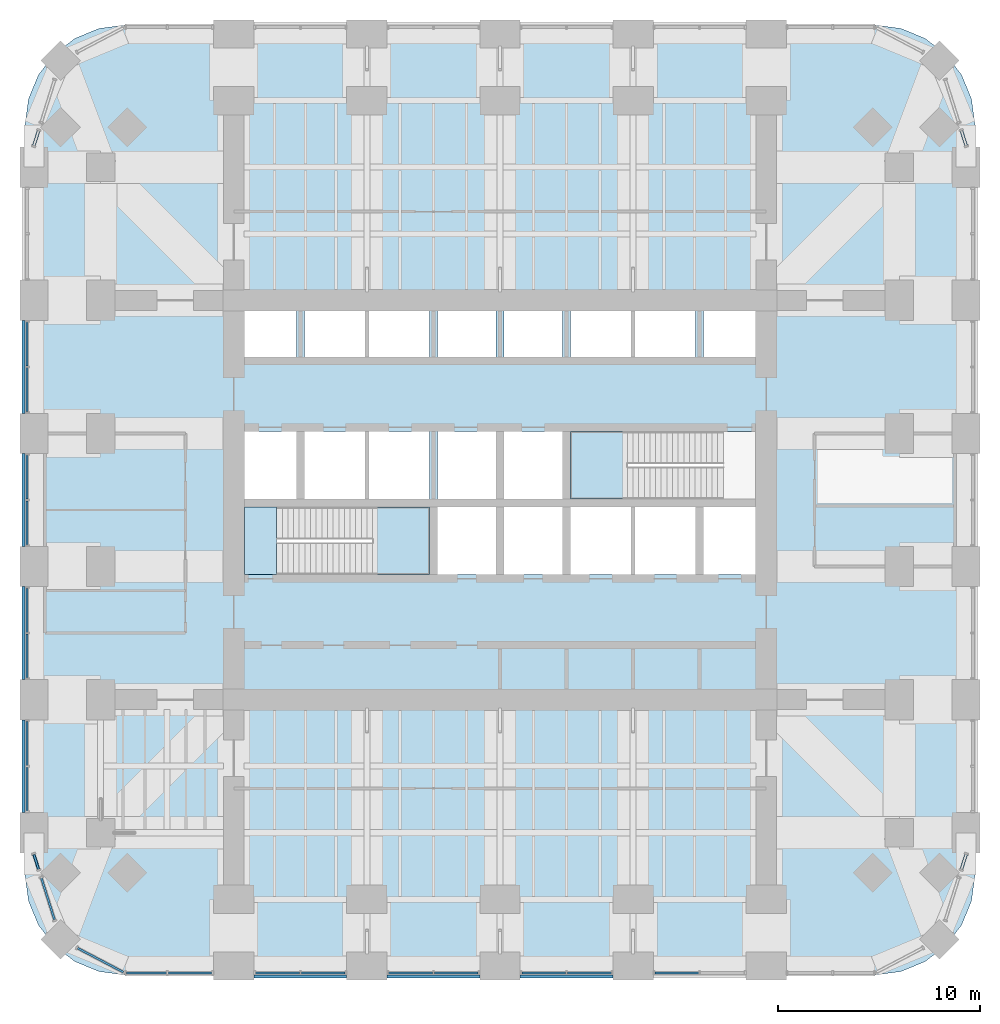
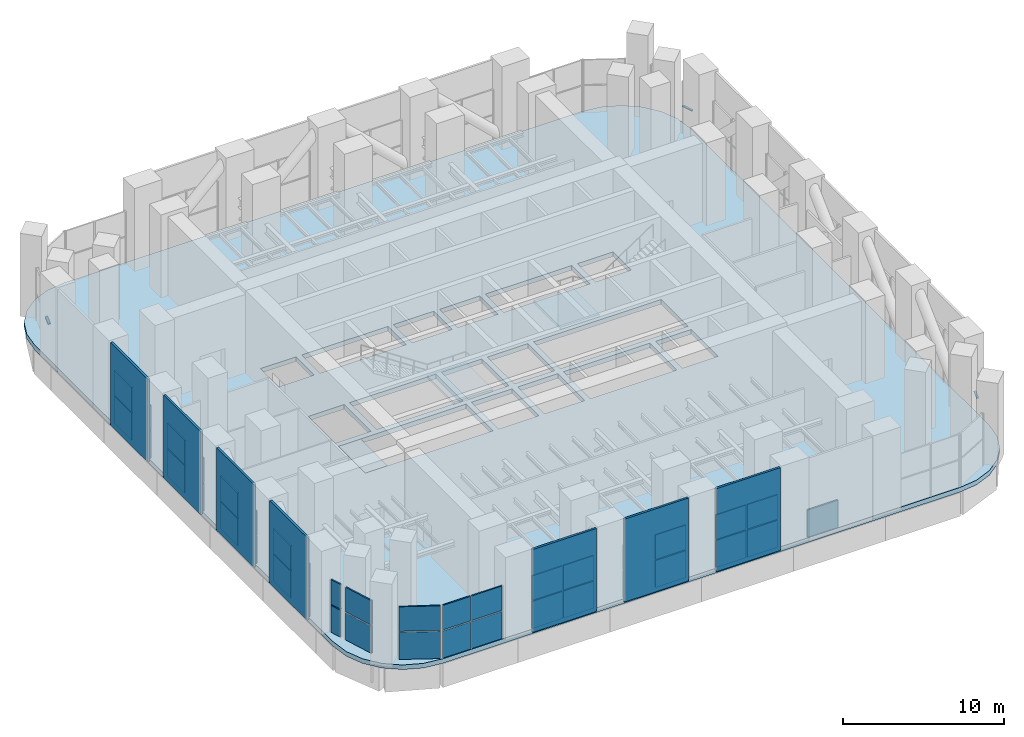
# One storey, part 10 of 16: 46 plates, 4 members, 4 slabs, 17 elements without a shape of their own.
"""IFC4 building model written with IfcOpenShell, lengths in metres."""

from ifc_helpers import new_model, si_unit, direction, frame, origin, origin_2d, place, context, subcontext, project, spatial, polyline, rectangle, outline, extrude, material, layer, layer_set, material_profile, profile_set, type_object, element, aggregate, save


model = new_model("IFC4")

# Units and contexts
model_context = context("Model", 3, precision=1e-05, world=origin(), true_north=direction((0.0, 1.0)))
body_context = subcontext(model_context, "Body", "Model", "MODEL_VIEW")
ifc_project = project(units=[si_unit("LENGTHUNIT", "METRE"), si_unit("AREAUNIT", "SQUARE_METRE"), si_unit("VOLUMEUNIT", "CUBIC_METRE"), si_unit("PLANEANGLEUNIT", "RADIAN"), si_unit("MASSUNIT", "GRAM", prefix="KILO")], contexts=[model_context])

# Site, building, storey
site_placement = place(None, origin())
site = spatial("IfcSite", under=ifc_project, at=site_placement, CompositionType="ELEMENT")
building_placement = place(site_placement, origin())
building = spatial("IfcBuilding", under=site, at=building_placement, Name="Cobogo Forest Laboratory Tower", CompositionType="ELEMENT")
storey_placement = place(building_placement, frame((0.0, 0.0, 149.39990234375)))
storey = spatial("IfcBuildingStorey", under=building, at=storey_placement, Name="L34", CompositionType="ELEMENT", Elevation=149.39990234375)

# Curtain wall, member
ifc_material_1 = material(Name="Aluminium curtain wall", Category="aluminium")
curtain_wall_type = type_object("IfcCurtainWallType", Name="CW-P louvred curtain wall, plant floors", PredefinedType="USERDEFINED", material=ifc_material_1)
curtain_wall_1_placement = place(storey_placement, origin())
curtain_wall_1 = element("IfcCurtainWall", 1, at=curtain_wall_1_placement, inside=storey, type_object=curtain_wall_type, Name="Curtain wall 09 L34", ObjectType="LOUVRED CURTAIN WALL", PredefinedType="USERDEFINED")
ifc_material_2 = material(Name="Aluminium transom", Category="aluminium")
ifc_material_profile = material_profile(ifc_material_2, rectangle(XDim=0.14990234375, YDim=0.080078125, at=origin_2d()), Name="AL 80x150")
ifc_profile_set = profile_set([ifc_material_profile], Name="Aluminium transom")
member_type = type_object("IfcMemberType", Name="TR-2 aluminium louvre transom 80x150", PredefinedType="USERDEFINED", material=ifc_profile_set)
member_1_placement = place(storey_placement, frame((49.27978515625, 4.79443359375, 2.10009765625), z_axis=(0.301054971571, 0.953606786937, 0.0), x_axis=(-0.953606786937, 0.301054971571, 0.0)))
member_1 = element("IfcMember", 2, at=member_1_placement, type_object=member_type, Name="CW-P transom 1.1", ObjectType="TRANSOM", PredefinedType="USERDEFINED", context=body_context, shape_type="SweptSolid", body=[
    extrude(rectangle(XDim=0.14990234375, YDim=0.080078125, at=origin_2d()), origin(), (0.0, 0.0, 1.0), 0.7646484375),
])
aggregate(curtain_wall_1, [member_1])

curtain_wall_2_placement = place(storey_placement, origin())
curtain_wall_2 = element("IfcCurtainWall", 3, at=curtain_wall_2_placement, inside=storey, type_object=curtain_wall_type, Name="Curtain wall 15 L34", ObjectType="LOUVRED CURTAIN WALL", PredefinedType="USERDEFINED")
member_2_placement = place(storey_placement, frame((49.510009765625, 40.67626953125, 2.10009765625), z_axis=(-0.301054971571, 0.953606786937, 0.0), x_axis=(-0.953606786937, -0.301054971571, 0.0)))
member_2 = element("IfcMember", 4, at=member_2_placement, type_object=member_type, Name="CW-P transom 1.1", ObjectType="TRANSOM", PredefinedType="USERDEFINED", context=body_context, shape_type="SweptSolid", body=[
    extrude(rectangle(XDim=0.14990234375, YDim=0.080078125, at=origin_2d()), origin(), (0.0, 0.0, 1.0), 0.7646484375),
])
aggregate(curtain_wall_2, [member_2])

curtain_wall_3_placement = place(storey_placement, origin())
curtain_wall_3 = element("IfcCurtainWall", 5, at=curtain_wall_3_placement, inside=storey, type_object=curtain_wall_type, Name="Curtain wall 26 L34", ObjectType="LOUVRED CURTAIN WALL", PredefinedType="USERDEFINED")
member_3_placement = place(storey_placement, frame((3.520263671875, 41.405517578125, 2.10009765625), z_axis=(-0.301345246915, -0.953515098025, 0.0), x_axis=(0.953515098025, -0.301345246915, 0.0)))
member_3 = element("IfcMember", 6, at=member_3_placement, type_object=member_type, Name="CW-P transom 1.1", ObjectType="TRANSOM", PredefinedType="USERDEFINED", context=body_context, shape_type="SweptSolid", body=[
    extrude(rectangle(XDim=0.14990234375, YDim=0.080078125, at=origin_2d()), origin(), (0.0, 0.0, 1.0), 0.764892578125),
])
aggregate(curtain_wall_3, [member_3])

curtain_wall_4_placement = place(storey_placement, origin())
curtain_wall_4 = element("IfcCurtainWall", 7, at=curtain_wall_4_placement, inside=storey, type_object=curtain_wall_type, Name="Curtain wall 32 L34", ObjectType="LOUVRED CURTAIN WALL", PredefinedType="USERDEFINED")
member_4_placement = place(storey_placement, frame((3.289794921875, 5.523681640625, 2.10009765625), z_axis=(0.301345246915, -0.953515098025, 0.0), x_axis=(0.953515098025, 0.301345246915, 0.0)))
member_4 = element("IfcMember", 8, at=member_4_placement, type_object=member_type, Name="CW-P transom 1.1", ObjectType="TRANSOM", PredefinedType="USERDEFINED", context=body_context, shape_type="SweptSolid", body=[
    extrude(rectangle(XDim=0.14990234375, YDim=0.080078125, at=origin_2d()), origin(), (0.0, 0.0, 1.0), 0.764892578125),
])

# Plates
ifc_material_3 = material(Name="Pierced concrete block", Category="concrete")
ifc_layer_1 = layer(ifc_material_3, 0.14990234375)
ifc_layer_set_1 = layer_set([ifc_layer_1], Name="CO2 cobogo block screen 150")
plate_type_1 = type_object("IfcPlateType", Name="CO2 cobogo block screen 150", PredefinedType="USERDEFINED", material=ifc_layer_set_1)
for number, where, z_axis, x_axis, name in (
    (9, (16.5, -0.52490234375, -0.14990234375), (0.0, 0.0, 1.0), (1.0, 0.0, 0.0), "Cobogo screen S1 L34"),
    (10, (23.10009765625, -0.52490234375, -0.14990234375), (0.0, 0.0, 1.0), (1.0, 0.0, 0.0), "Cobogo screen S2 L34"),
    (11, (29.699951171875, -0.52490234375, -0.14990234375), (0.0, 0.0, 1.0), (1.0, 0.0, 0.0), "Cobogo screen S3 L34"),
    (12, (2.77490234375, 9.89990234375, -0.14990234375), (0.0, 0.0, 1.0), (0.0, 1.0, 0.0), "Cobogo screen W1 L34"),
    (13, (2.77490234375, 16.5, -0.14990234375), (0.0, 0.0, 1.0), (0.0, 1.0, 0.0), "Cobogo screen W2 L34"),
    (14, (2.77490234375, 23.10009765625, -0.14990234375), (0.0, 0.0, 1.0), (0.0, 1.0, 0.0), "Cobogo screen W3 L34"),
    (15, (2.77490234375, 29.699951171875, -0.14990234375), (0.0, 0.0, 1.0), (0.0, 1.0, 0.0), "Cobogo screen W4 L34"),
):
    element("IfcPlate", number, at=place(storey_placement, frame(where, z_axis=z_axis, x_axis=x_axis)), inside=storey, type_object=plate_type_1, Name=name, ObjectType="COBOGO SCREEN", PredefinedType="USERDEFINED", context=body_context, shape_type="SweptSolid", body=[
        extrude(rectangle(XDim=4.60009765625, YDim=0.14990234375, at=origin_2d()), origin(), (0.0, 0.0, 1.0), 6.300048828125),
    ])

# Curtain wall, plates
curtain_wall_5_placement = place(storey_placement, origin())
curtain_wall_5 = element("IfcCurtainWall", 16, at=curtain_wall_5_placement, inside=storey, type_object=curtain_wall_type, Name="Curtain wall 01 L34", ObjectType="LOUVRED CURTAIN WALL", PredefinedType="USERDEFINED")
ifc_material_4 = material(Name="Aluminium louvre", Category="aluminium")
ifc_layer_2 = layer(ifc_material_4, 0.10009765625)
ifc_layer_set_2 = layer_set([ifc_layer_2], Name="LV-1 aluminium weather louvre panel 100")
plate_type_2 = type_object("IfcPlateType", Name="LV-1 aluminium weather louvre panel 100", PredefinedType="CURTAIN_PANEL", material=ifc_layer_set_2)
plate_1_placement = place(storey_placement, frame((8.8701171875, -0.35009765625, 0.0), z_axis=(0.0, 0.0, 1.0), x_axis=(1.0, 0.0, 0.0)))
plate_1 = element("IfcPlate", 17, at=plate_1_placement, type_object=plate_type_2, Name="CW-P panel 1.1", PredefinedType="CURTAIN_PANEL", context=body_context, shape_type="SweptSolid", body=[
    extrude(rectangle(XDim=1.97998046875, YDim=0.10009765625, at=origin_2d()), origin(), (0.0, 0.0, 1.0), 2.06005859375),
])
plate_2_placement = place(storey_placement, frame((8.8701171875, -0.35009765625, 2.14013671875), z_axis=(0.0, 0.0, 1.0), x_axis=(1.0, 0.0, 0.0)))
plate_2 = element("IfcPlate", 18, at=plate_2_placement, type_object=plate_type_2, Name="CW-P panel 1.2", PredefinedType="CURTAIN_PANEL", context=body_context, shape_type="SweptSolid", body=[
    extrude(rectangle(XDim=1.97998046875, YDim=0.10009765625, at=origin_2d()), origin(), (0.0, 0.0, 1.0), 1.860107421875),
])
plate_3_placement = place(storey_placement, frame((11.030029296875, -0.35009765625, 0.0), z_axis=(0.0, 0.0, 1.0), x_axis=(1.0, 0.0, 0.0)))
plate_3 = element("IfcPlate", 19, at=plate_3_placement, type_object=plate_type_2, Name="CW-P panel 2.1", PredefinedType="CURTAIN_PANEL", context=body_context, shape_type="SweptSolid", body=[
    extrude(rectangle(XDim=2.179931640625, YDim=0.10009765625, at=origin_2d()), origin(), (0.0, 0.0, 1.0), 2.06005859375),
])
plate_4_placement = place(storey_placement, frame((11.030029296875, -0.35009765625, 2.14013671875), z_axis=(0.0, 0.0, 1.0), x_axis=(1.0, 0.0, 0.0)))
plate_4 = element("IfcPlate", 20, at=plate_4_placement, type_object=plate_type_2, Name="CW-P panel 2.2", PredefinedType="CURTAIN_PANEL", context=body_context, shape_type="SweptSolid", body=[
    extrude(rectangle(XDim=2.179931640625, YDim=0.10009765625, at=origin_2d()), origin(), (0.0, 0.0, 1.0), 1.860107421875),
])
aggregate(curtain_wall_5, [plate_1, plate_2, plate_3, plate_4])

curtain_wall_6_placement = place(storey_placement, origin())
curtain_wall_6 = element("IfcCurtainWall", 21, at=curtain_wall_6_placement, inside=storey, type_object=curtain_wall_type, Name="Curtain wall 02 L34", ObjectType="LOUVRED CURTAIN WALL", PredefinedType="USERDEFINED")
plate_5_placement = place(storey_placement, frame((15.3701171875, -0.35009765625, 0.0), z_axis=(0.0, 0.0, 1.0), x_axis=(1.0, 0.0, 0.0)))
plate_5 = element("IfcPlate", 22, at=plate_5_placement, type_object=plate_type_2, Name="CW-P panel 1.1", PredefinedType="CURTAIN_PANEL", context=body_context, shape_type="SweptSolid", body=[
    extrude(rectangle(XDim=2.179931640625, YDim=0.10009765625, at=origin_2d()), origin(), (0.0, 0.0, 1.0), 2.06005859375),
])
plate_6_placement = place(storey_placement, frame((15.3701171875, -0.35009765625, 2.14013671875), z_axis=(0.0, 0.0, 1.0), x_axis=(1.0, 0.0, 0.0)))
plate_6 = element("IfcPlate", 23, at=plate_6_placement, type_object=plate_type_2, Name="CW-P panel 1.2", PredefinedType="CURTAIN_PANEL", context=body_context, shape_type="SweptSolid", body=[
    extrude(rectangle(XDim=2.179931640625, YDim=0.10009765625, at=origin_2d()), origin(), (0.0, 0.0, 1.0), 1.860107421875),
])
plate_7_placement = place(storey_placement, frame((17.6298828125, -0.35009765625, 0.0), z_axis=(0.0, 0.0, 1.0), x_axis=(1.0, 0.0, 0.0)))
plate_7 = element("IfcPlate", 24, at=plate_7_placement, type_object=plate_type_2, Name="CW-P panel 2.1", PredefinedType="CURTAIN_PANEL", context=body_context, shape_type="SweptSolid", body=[
    extrude(rectangle(XDim=2.179931640625, YDim=0.10009765625, at=origin_2d()), origin(), (0.0, 0.0, 1.0), 2.06005859375),
])
plate_8_placement = place(storey_placement, frame((17.6298828125, -0.35009765625, 2.14013671875), z_axis=(0.0, 0.0, 1.0), x_axis=(1.0, 0.0, 0.0)))
plate_8 = element("IfcPlate", 25, at=plate_8_placement, type_object=plate_type_2, Name="CW-P panel 2.2", PredefinedType="CURTAIN_PANEL", context=body_context, shape_type="SweptSolid", body=[
    extrude(rectangle(XDim=2.179931640625, YDim=0.10009765625, at=origin_2d()), origin(), (0.0, 0.0, 1.0), 1.860107421875),
])
aggregate(curtain_wall_6, [plate_5, plate_6, plate_7, plate_8])

curtain_wall_7_placement = place(storey_placement, origin())
curtain_wall_7 = element("IfcCurtainWall", 26, at=curtain_wall_7_placement, inside=storey, type_object=curtain_wall_type, Name="Curtain wall 03 L34", ObjectType="LOUVRED CURTAIN WALL", PredefinedType="USERDEFINED")
plate_9_placement = place(storey_placement, frame((21.969970703125, -0.35009765625, 0.0), z_axis=(0.0, 0.0, 1.0), x_axis=(1.0, 0.0, 0.0)))
plate_9 = element("IfcPlate", 27, at=plate_9_placement, type_object=plate_type_2, Name="CW-P panel 1.1", PredefinedType="CURTAIN_PANEL", context=body_context, shape_type="SweptSolid", body=[
    extrude(rectangle(XDim=2.179931640625, YDim=0.10009765625, at=origin_2d()), origin(), (0.0, 0.0, 1.0), 2.06005859375),
])
plate_10_placement = place(storey_placement, frame((21.969970703125, -0.35009765625, 2.14013671875), z_axis=(0.0, 0.0, 1.0), x_axis=(1.0, 0.0, 0.0)))
plate_10 = element("IfcPlate", 28, at=plate_10_placement, type_object=plate_type_2, Name="CW-P panel 1.2", PredefinedType="CURTAIN_PANEL", context=body_context, shape_type="SweptSolid", body=[
    extrude(rectangle(XDim=2.179931640625, YDim=0.10009765625, at=origin_2d()), origin(), (0.0, 0.0, 1.0), 1.860107421875),
])
plate_11_placement = place(storey_placement, frame((24.22998046875, -0.35009765625, 0.0), z_axis=(0.0, 0.0, 1.0), x_axis=(1.0, 0.0, 0.0)))
plate_11 = element("IfcPlate", 29, at=plate_11_placement, type_object=plate_type_2, Name="CW-P panel 2.1", PredefinedType="CURTAIN_PANEL", context=body_context, shape_type="SweptSolid", body=[
    extrude(rectangle(XDim=2.179931640625, YDim=0.10009765625, at=origin_2d()), origin(), (0.0, 0.0, 1.0), 2.06005859375),
])
plate_12_placement = place(storey_placement, frame((24.22998046875, -0.35009765625, 2.14013671875), z_axis=(0.0, 0.0, 1.0), x_axis=(1.0, 0.0, 0.0)))
plate_12 = element("IfcPlate", 30, at=plate_12_placement, type_object=plate_type_2, Name="CW-P panel 2.2", PredefinedType="CURTAIN_PANEL", context=body_context, shape_type="SweptSolid", body=[
    extrude(rectangle(XDim=2.179931640625, YDim=0.10009765625, at=origin_2d()), origin(), (0.0, 0.0, 1.0), 1.860107421875),
])
aggregate(curtain_wall_7, [plate_9, plate_10, plate_11, plate_12])

curtain_wall_8_placement = place(storey_placement, origin())
curtain_wall_8 = element("IfcCurtainWall", 31, at=curtain_wall_8_placement, inside=storey, type_object=curtain_wall_type, Name="Curtain wall 04 L34", ObjectType="LOUVRED CURTAIN WALL", PredefinedType="USERDEFINED")
plate_13_placement = place(storey_placement, frame((28.570068359375, -0.35009765625, 0.0), z_axis=(0.0, 0.0, 1.0), x_axis=(1.0, 0.0, 0.0)))
plate_13 = element("IfcPlate", 32, at=plate_13_placement, type_object=plate_type_2, Name="CW-P panel 1.1", PredefinedType="CURTAIN_PANEL", context=body_context, shape_type="SweptSolid", body=[
    extrude(rectangle(XDim=2.179931640625, YDim=0.10009765625, at=origin_2d()), origin(), (0.0, 0.0, 1.0), 2.06005859375),
])
plate_14_placement = place(storey_placement, frame((28.570068359375, -0.35009765625, 2.14013671875), z_axis=(0.0, 0.0, 1.0), x_axis=(1.0, 0.0, 0.0)))
plate_14 = element("IfcPlate", 33, at=plate_14_placement, type_object=plate_type_2, Name="CW-P panel 1.2", PredefinedType="CURTAIN_PANEL", context=body_context, shape_type="SweptSolid", body=[
    extrude(rectangle(XDim=2.179931640625, YDim=0.10009765625, at=origin_2d()), origin(), (0.0, 0.0, 1.0), 1.860107421875),
])
plate_15_placement = place(storey_placement, frame((30.830078125, -0.35009765625, 0.0), z_axis=(0.0, 0.0, 1.0), x_axis=(1.0, 0.0, 0.0)))
plate_15 = element("IfcPlate", 34, at=plate_15_placement, type_object=plate_type_2, Name="CW-P panel 2.1", PredefinedType="CURTAIN_PANEL", context=body_context, shape_type="SweptSolid", body=[
    extrude(rectangle(XDim=2.179931640625, YDim=0.10009765625, at=origin_2d()), origin(), (0.0, 0.0, 1.0), 2.06005859375),
])
plate_16_placement = place(storey_placement, frame((30.830078125, -0.35009765625, 2.14013671875), z_axis=(0.0, 0.0, 1.0), x_axis=(1.0, 0.0, 0.0)))
plate_16 = element("IfcPlate", 35, at=plate_16_placement, type_object=plate_type_2, Name="CW-P panel 2.2", PredefinedType="CURTAIN_PANEL", context=body_context, shape_type="SweptSolid", body=[
    extrude(rectangle(XDim=2.179931640625, YDim=0.10009765625, at=origin_2d()), origin(), (0.0, 0.0, 1.0), 1.860107421875),
])
aggregate(curtain_wall_8, [plate_13, plate_14, plate_15, plate_16])

# Curtain wall, plate
curtain_wall_9_placement = place(storey_placement, origin())
curtain_wall_9 = element("IfcCurtainWall", 36, at=curtain_wall_9_placement, inside=storey, type_object=curtain_wall_type, Name="Curtain wall 05 L34", ObjectType="LOUVRED CURTAIN WALL", PredefinedType="USERDEFINED")
plate_17_placement = place(storey_placement, frame((35.169921875, -0.35009765625, 0.0), z_axis=(0.0, 0.0, 1.0), x_axis=(1.0, 0.0, 0.0)))
plate_17 = element("IfcPlate", 37, at=plate_17_placement, type_object=plate_type_2, Name="CW-P panel 1.1", PredefinedType="CURTAIN_PANEL", context=body_context, shape_type="SweptSolid", body=[
    extrude(rectangle(XDim=2.179931640625, YDim=0.10009765625, at=origin_2d()), origin(), (0.0, 0.0, 1.0), 2.06005859375),
])
aggregate(curtain_wall_9, [plate_17])

# Curtain wall, plates
curtain_wall_10_placement = place(storey_placement, origin())
curtain_wall_10 = element("IfcCurtainWall", 38, at=curtain_wall_10_placement, inside=storey, type_object=curtain_wall_type, Name="Curtain wall 28 L34", ObjectType="LOUVRED CURTAIN WALL", PredefinedType="USERDEFINED")
plate_18_placement = place(storey_placement, frame((2.949951171875, 30.830078125, 0.0), z_axis=(0.0, 0.0, 1.0), x_axis=(0.0, -1.0, 0.0)))
plate_18 = element("IfcPlate", 39, at=plate_18_placement, type_object=plate_type_2, Name="CW-P panel 1.1", PredefinedType="CURTAIN_PANEL", context=body_context, shape_type="SweptSolid", body=[
    extrude(rectangle(XDim=2.179931640625, YDim=0.10009765625, at=origin_2d()), origin(), (0.0, 0.0, 1.0), 2.06005859375),
])
plate_19_placement = place(storey_placement, frame((2.949951171875, 30.830078125, 2.14013671875), z_axis=(0.0, 0.0, 1.0), x_axis=(0.0, -1.0, 0.0)))
plate_19 = element("IfcPlate", 40, at=plate_19_placement, type_object=plate_type_2, Name="CW-P panel 1.2", PredefinedType="CURTAIN_PANEL", context=body_context, shape_type="SweptSolid", body=[
    extrude(rectangle(XDim=2.179931640625, YDim=0.10009765625, at=origin_2d()), origin(), (0.0, 0.0, 1.0), 1.860107421875),
])
plate_20_placement = place(storey_placement, frame((2.949951171875, 28.570068359375, 0.0), z_axis=(0.0, 0.0, 1.0), x_axis=(0.0, -1.0, 0.0)))
plate_20 = element("IfcPlate", 41, at=plate_20_placement, type_object=plate_type_2, Name="CW-P panel 2.1", PredefinedType="CURTAIN_PANEL", context=body_context, shape_type="SweptSolid", body=[
    extrude(rectangle(XDim=2.179931640625, YDim=0.10009765625, at=origin_2d()), origin(), (0.0, 0.0, 1.0), 2.06005859375),
])
plate_21_placement = place(storey_placement, frame((2.949951171875, 28.570068359375, 2.14013671875), z_axis=(0.0, 0.0, 1.0), x_axis=(0.0, -1.0, 0.0)))
plate_21 = element("IfcPlate", 42, at=plate_21_placement, type_object=plate_type_2, Name="CW-P panel 2.2", PredefinedType="CURTAIN_PANEL", context=body_context, shape_type="SweptSolid", body=[
    extrude(rectangle(XDim=2.179931640625, YDim=0.10009765625, at=origin_2d()), origin(), (0.0, 0.0, 1.0), 1.860107421875),
])
aggregate(curtain_wall_10, [plate_18, plate_19, plate_20, plate_21])

curtain_wall_11_placement = place(storey_placement, origin())
curtain_wall_11 = element("IfcCurtainWall", 43, at=curtain_wall_11_placement, inside=storey, type_object=curtain_wall_type, Name="Curtain wall 29 L34", ObjectType="LOUVRED CURTAIN WALL", PredefinedType="USERDEFINED")
plate_22_placement = place(storey_placement, frame((2.949951171875, 24.22998046875, 0.0), z_axis=(0.0, 0.0, 1.0), x_axis=(0.0, -1.0, 0.0)))
plate_22 = element("IfcPlate", 44, at=plate_22_placement, type_object=plate_type_2, Name="CW-P panel 1.1", PredefinedType="CURTAIN_PANEL", context=body_context, shape_type="SweptSolid", body=[
    extrude(rectangle(XDim=2.179931640625, YDim=0.10009765625, at=origin_2d()), origin(), (0.0, 0.0, 1.0), 2.06005859375),
])
plate_23_placement = place(storey_placement, frame((2.949951171875, 24.22998046875, 2.14013671875), z_axis=(0.0, 0.0, 1.0), x_axis=(0.0, -1.0, 0.0)))
plate_23 = element("IfcPlate", 45, at=plate_23_placement, type_object=plate_type_2, Name="CW-P panel 1.2", PredefinedType="CURTAIN_PANEL", context=body_context, shape_type="SweptSolid", body=[
    extrude(rectangle(XDim=2.179931640625, YDim=0.10009765625, at=origin_2d()), origin(), (0.0, 0.0, 1.0), 1.860107421875),
])
plate_24_placement = place(storey_placement, frame((2.949951171875, 21.969970703125, 0.0), z_axis=(0.0, 0.0, 1.0), x_axis=(0.0, -1.0, 0.0)))
plate_24 = element("IfcPlate", 46, at=plate_24_placement, type_object=plate_type_2, Name="CW-P panel 2.1", PredefinedType="CURTAIN_PANEL", context=body_context, shape_type="SweptSolid", body=[
    extrude(rectangle(XDim=2.179931640625, YDim=0.10009765625, at=origin_2d()), origin(), (0.0, 0.0, 1.0), 2.06005859375),
])
plate_25_placement = place(storey_placement, frame((2.949951171875, 21.969970703125, 2.14013671875), z_axis=(0.0, 0.0, 1.0), x_axis=(0.0, -1.0, 0.0)))
plate_25 = element("IfcPlate", 47, at=plate_25_placement, type_object=plate_type_2, Name="CW-P panel 2.2", PredefinedType="CURTAIN_PANEL", context=body_context, shape_type="SweptSolid", body=[
    extrude(rectangle(XDim=2.179931640625, YDim=0.10009765625, at=origin_2d()), origin(), (0.0, 0.0, 1.0), 1.860107421875),
])
aggregate(curtain_wall_11, [plate_22, plate_23, plate_24, plate_25])

curtain_wall_12_placement = place(storey_placement, origin())
curtain_wall_12 = element("IfcCurtainWall", 48, at=curtain_wall_12_placement, inside=storey, type_object=curtain_wall_type, Name="Curtain wall 30 L34", ObjectType="LOUVRED CURTAIN WALL", PredefinedType="USERDEFINED")
plate_26_placement = place(storey_placement, frame((2.949951171875, 17.6298828125, 0.0), z_axis=(0.0, 0.0, 1.0), x_axis=(0.0, -1.0, 0.0)))
plate_26 = element("IfcPlate", 49, at=plate_26_placement, type_object=plate_type_2, Name="CW-P panel 1.1", PredefinedType="CURTAIN_PANEL", context=body_context, shape_type="SweptSolid", body=[
    extrude(rectangle(XDim=2.179931640625, YDim=0.10009765625, at=origin_2d()), origin(), (0.0, 0.0, 1.0), 2.06005859375),
])
plate_27_placement = place(storey_placement, frame((2.949951171875, 17.6298828125, 2.14013671875), z_axis=(0.0, 0.0, 1.0), x_axis=(0.0, -1.0, 0.0)))
plate_27 = element("IfcPlate", 50, at=plate_27_placement, type_object=plate_type_2, Name="CW-P panel 1.2", PredefinedType="CURTAIN_PANEL", context=body_context, shape_type="SweptSolid", body=[
    extrude(rectangle(XDim=2.179931640625, YDim=0.10009765625, at=origin_2d()), origin(), (0.0, 0.0, 1.0), 1.860107421875),
])
plate_28_placement = place(storey_placement, frame((2.949951171875, 15.3701171875, 0.0), z_axis=(0.0, 0.0, 1.0), x_axis=(0.0, -1.0, 0.0)))
plate_28 = element("IfcPlate", 51, at=plate_28_placement, type_object=plate_type_2, Name="CW-P panel 2.1", PredefinedType="CURTAIN_PANEL", context=body_context, shape_type="SweptSolid", body=[
    extrude(rectangle(XDim=2.179931640625, YDim=0.10009765625, at=origin_2d()), origin(), (0.0, 0.0, 1.0), 2.06005859375),
])
plate_29_placement = place(storey_placement, frame((2.949951171875, 15.3701171875, 2.14013671875), z_axis=(0.0, 0.0, 1.0), x_axis=(0.0, -1.0, 0.0)))
plate_29 = element("IfcPlate", 52, at=plate_29_placement, type_object=plate_type_2, Name="CW-P panel 2.2", PredefinedType="CURTAIN_PANEL", context=body_context, shape_type="SweptSolid", body=[
    extrude(rectangle(XDim=2.179931640625, YDim=0.10009765625, at=origin_2d()), origin(), (0.0, 0.0, 1.0), 1.860107421875),
])
aggregate(curtain_wall_12, [plate_26, plate_27, plate_28, plate_29])

curtain_wall_13_placement = place(storey_placement, origin())
curtain_wall_13 = element("IfcCurtainWall", 53, at=curtain_wall_13_placement, inside=storey, type_object=curtain_wall_type, Name="Curtain wall 31 L34", ObjectType="LOUVRED CURTAIN WALL", PredefinedType="USERDEFINED")
plate_30_placement = place(storey_placement, frame((2.949951171875, 11.030029296875, 0.0), z_axis=(0.0, 0.0, 1.0), x_axis=(0.0, -1.0, 0.0)))
plate_30 = element("IfcPlate", 54, at=plate_30_placement, type_object=plate_type_2, Name="CW-P panel 1.1", PredefinedType="CURTAIN_PANEL", context=body_context, shape_type="SweptSolid", body=[
    extrude(rectangle(XDim=2.179931640625, YDim=0.10009765625, at=origin_2d()), origin(), (0.0, 0.0, 1.0), 2.06005859375),
])
plate_31_placement = place(storey_placement, frame((2.949951171875, 11.030029296875, 2.14013671875), z_axis=(0.0, 0.0, 1.0), x_axis=(0.0, -1.0, 0.0)))
plate_31 = element("IfcPlate", 55, at=plate_31_placement, type_object=plate_type_2, Name="CW-P panel 1.2", PredefinedType="CURTAIN_PANEL", context=body_context, shape_type="SweptSolid", body=[
    extrude(rectangle(XDim=2.179931640625, YDim=0.10009765625, at=origin_2d()), origin(), (0.0, 0.0, 1.0), 1.860107421875),
])
plate_32_placement = place(storey_placement, frame((2.949951171875, 8.77001953125, 0.0), z_axis=(0.0, 0.0, 1.0), x_axis=(0.0, -1.0, 0.0)))
plate_32 = element("IfcPlate", 56, at=plate_32_placement, type_object=plate_type_2, Name="CW-P panel 2.1", PredefinedType="CURTAIN_PANEL", context=body_context, shape_type="SweptSolid", body=[
    extrude(rectangle(XDim=2.179931640625, YDim=0.10009765625, at=origin_2d()), origin(), (0.0, 0.0, 1.0), 2.06005859375),
])
plate_33_placement = place(storey_placement, frame((2.949951171875, 8.77001953125, 2.14013671875), z_axis=(0.0, 0.0, 1.0), x_axis=(0.0, -1.0, 0.0)))
plate_33 = element("IfcPlate", 57, at=plate_33_placement, type_object=plate_type_2, Name="CW-P panel 2.2", PredefinedType="CURTAIN_PANEL", context=body_context, shape_type="SweptSolid", body=[
    extrude(rectangle(XDim=2.179931640625, YDim=0.10009765625, at=origin_2d()), origin(), (0.0, 0.0, 1.0), 1.860107421875),
])
aggregate(curtain_wall_13, [plate_30, plate_31, plate_32, plate_33])

# Plate
plate_34_placement = place(storey_placement, frame((3.405029296875, 5.158935546875, 0.0), z_axis=(0.0, 0.0, 1.0), x_axis=(0.301135352577, -0.953581406818, 0.0)))
plate_34 = element("IfcPlate", 58, at=plate_34_placement, type_object=plate_type_2, Name="CW-P panel 1.1", PredefinedType="CURTAIN_PANEL", context=body_context, shape_type="SweptSolid", body=[
    extrude(rectangle(XDim=0.764892578125, YDim=0.10009765625, at=origin_2d()), origin(), (0.0, 0.0, 1.0), 2.06005859375),
])

plate_35_placement = place(storey_placement, frame((3.405029296875, 5.158935546875, 2.14013671875), z_axis=(0.0, 0.0, 1.0), x_axis=(0.301135352577, -0.953581406818, 0.0)))
plate_35 = element("IfcPlate", 59, at=plate_35_placement, type_object=plate_type_2, Name="CW-P panel 1.2", PredefinedType="CURTAIN_PANEL", context=body_context, shape_type="SweptSolid", body=[
    extrude(rectangle(XDim=0.764892578125, YDim=0.10009765625, at=origin_2d()), origin(), (0.0, 0.0, 1.0), 1.860107421875),
])

aggregate(curtain_wall_4, [member_4, plate_34, plate_35])

# Curtain wall, plates
curtain_wall_14_placement = place(storey_placement, origin())
curtain_wall_14 = element("IfcCurtainWall", 60, at=curtain_wall_14_placement, inside=storey, type_object=curtain_wall_type, Name="Curtain wall 33 L34", ObjectType="LOUVRED CURTAIN WALL", PredefinedType="USERDEFINED")
plate_36_placement = place(storey_placement, frame((3.986572265625, 3.31787109375, 0.0), z_axis=(0.0, 0.0, 1.0), x_axis=(0.301135343623, -0.953581409645, 0.0)))
plate_36 = element("IfcPlate", 61, at=plate_36_placement, type_object=plate_type_2, Name="CW-P panel 1.1", PredefinedType="CURTAIN_PANEL", context=body_context, shape_type="SweptSolid", body=[
    extrude(rectangle(XDim=2.163330078125, YDim=0.10009765625, at=origin_2d()), origin(), (0.0, 0.0, 1.0), 2.06005859375),
])
plate_37_placement = place(storey_placement, frame((3.986572265625, 3.31787109375, 2.14013671875), z_axis=(0.0, 0.0, 1.0), x_axis=(0.301135343623, -0.953581409645, 0.0)))
plate_37 = element("IfcPlate", 62, at=plate_37_placement, type_object=plate_type_2, Name="CW-P panel 1.2", PredefinedType="CURTAIN_PANEL", context=body_context, shape_type="SweptSolid", body=[
    extrude(rectangle(XDim=2.163330078125, YDim=0.10009765625, at=origin_2d()), origin(), (0.0, 0.0, 1.0), 1.860107421875),
])
aggregate(curtain_wall_14, [plate_36, plate_37])

curtain_wall_15_placement = place(storey_placement, origin())
curtain_wall_15 = element("IfcCurtainWall", 63, at=curtain_wall_15_placement, inside=storey, type_object=curtain_wall_type, Name="Curtain wall 34 L34", ObjectType="LOUVRED CURTAIN WALL", PredefinedType="USERDEFINED")
plate_38_placement = place(storey_placement, frame((6.593994140625, 0.2822265625, 0.0), z_axis=(0.0, 0.0, 1.0), x_axis=(0.885686540666, -0.464283697413, 0.0)))
plate_38 = element("IfcPlate", 64, at=plate_38_placement, type_object=plate_type_2, Name="CW-P panel 1.1", PredefinedType="CURTAIN_PANEL", context=body_context, shape_type="SweptSolid", body=[
    extrude(rectangle(XDim=2.563232421875, YDim=0.10009765625, at=origin_2d()), origin(), (0.0, 0.0, 1.0), 2.06005859375),
])
plate_39_placement = place(storey_placement, frame((6.593994140625, 0.2822265625, 2.14013671875), z_axis=(0.0, 0.0, 1.0), x_axis=(0.885686540666, -0.464283697413, 0.0)))
plate_39 = element("IfcPlate", 65, at=plate_39_placement, type_object=plate_type_2, Name="CW-P panel 1.2", PredefinedType="CURTAIN_PANEL", context=body_context, shape_type="SweptSolid", body=[
    extrude(rectangle(XDim=2.563232421875, YDim=0.10009765625, at=origin_2d()), origin(), (0.0, 0.0, 1.0), 1.860107421875),
])
aggregate(curtain_wall_15, [plate_38, plate_39])

# Slab
ifc_material_5 = material(Name="Concrete HA-40 (C40/50)", Category="concrete")
ifc_layer_3 = layer(ifc_material_5, 0.35009765625)
ifc_layer_set_3 = layer_set([ifc_layer_3], Name="Plant floor slab 350")
slab_type_1 = type_object("IfcSlabType", Name="Plant floor slab 350", PredefinedType="FLOOR", material=ifc_layer_set_3)
slab_1_placement = place(storey_placement, frame((0.0, 0.0, -0.349853515625)))
element("IfcSlab", 66, at=slab_1_placement, inside=storey, type_object=slab_type_1, Name="L34 floor slab", PredefinedType="FLOOR", context=body_context, shape_type="SweptSolid", body=[
    extrude(outline(polyline([(45.0, -0.449951171875), (46.28125, -0.28125), (47.47509765625, 0.213134765625), (48.500244140625, 0.999755859375), (49.286865234375, 2.02490234375), (49.78125, 3.21875), (49.949951171875, 4.5), (49.949951171875, 41.699951171875), (49.78125, 42.981201171875), (49.286865234375, 44.175048828125), (48.500244140625, 45.2001953125), (47.47509765625, 45.98681640625), (46.28125, 46.4814453125), (45.0, 46.64990234375), (7.800048828125, 46.64990234375), (6.518798828125, 46.4814453125), (5.324951171875, 45.98681640625), (4.2998046875, 45.2001953125), (3.51318359375, 44.175048828125), (3.0185546875, 42.981201171875), (2.85009765625, 41.699951171875), (2.85009765625, 4.5), (3.0185546875, 3.21875), (3.51318359375, 2.02490234375), (4.2998046875, 0.999755859375), (5.324951171875, 0.213134765625), (6.518798828125, -0.28125), (7.800048828125, -0.449951171875), (45.0, -0.449951171875)]), holes=[polyline([(22.89990234375, 19.39990234375), (13.72509765625, 19.39990234375), (13.72509765625, 22.75), (22.89990234375, 22.75), (22.89990234375, 19.39990234375)]), polyline([(26.199951171875, 19.39990234375), (23.300048828125, 19.39990234375), (23.300048828125, 22.75), (26.199951171875, 22.75), (26.199951171875, 19.39990234375)]), polyline([(29.5, 19.39990234375), (26.60009765625, 19.39990234375), (26.60009765625, 22.75), (29.5, 22.75), (29.5, 19.39990234375)]), polyline([(36.10009765625, 22.75), (36.10009765625, 19.39990234375), (29.89990234375, 19.39990234375), (29.89990234375, 22.75), (36.10009765625, 22.75)]), polyline([(36.5, 19.39990234375), (36.5, 22.75), (39.074951171875, 22.75), (39.074951171875, 19.39990234375), (36.5, 19.39990234375)]), polyline([(16.300048828125, 23.14990234375), (13.72509765625, 23.14990234375), (13.72509765625, 26.5), (16.300048828125, 26.5), (16.300048828125, 23.14990234375)]), polyline([(22.89990234375, 26.5), (22.89990234375, 23.14990234375), (16.699951171875, 23.14990234375), (16.699951171875, 26.5), (22.89990234375, 26.5)]), polyline([(26.199951171875, 23.14990234375), (23.300048828125, 23.14990234375), (23.300048828125, 26.5), (26.199951171875, 26.5), (26.199951171875, 23.14990234375)]), polyline([(26.60009765625, 23.14990234375), (26.60009765625, 26.5), (29.5, 26.5), (29.5, 23.14990234375), (26.60009765625, 23.14990234375)]), polyline([(39.074951171875, 23.14990234375), (29.89990234375, 23.14990234375), (29.89990234375, 26.5), (39.074951171875, 26.5), (39.074951171875, 23.14990234375)]), polyline([(16.300048828125, 30.199951171875), (13.72509765625, 30.199951171875), (13.72509765625, 32.47509765625), (16.300048828125, 32.47509765625), (16.300048828125, 30.199951171875)]), polyline([(22.89990234375, 32.47509765625), (22.89990234375, 30.199951171875), (16.699951171875, 30.199951171875), (16.699951171875, 32.47509765625), (22.89990234375, 32.47509765625)]), polyline([(23.300048828125, 30.199951171875), (23.300048828125, 32.47509765625), (26.199951171875, 32.47509765625), (26.199951171875, 30.199951171875), (23.300048828125, 30.199951171875)]), polyline([(29.5, 30.199951171875), (26.60009765625, 30.199951171875), (26.60009765625, 32.47509765625), (29.5, 32.47509765625), (29.5, 30.199951171875)]), polyline([(36.10009765625, 32.47509765625), (36.10009765625, 30.199951171875), (29.89990234375, 30.199951171875), (29.89990234375, 32.47509765625), (36.10009765625, 32.47509765625)]), polyline([(36.5, 30.199951171875), (36.5, 32.47509765625), (39.074951171875, 32.47509765625), (39.074951171875, 30.199951171875), (36.5, 30.199951171875)])]), origin(), (0.0, 0.0, 1.0), 0.349853515625),
])

# Stair, slabs
ifc_material_6 = material(Name="Precast concrete HA-40 (C40/50)", Category="concrete")
stair_type = type_object("IfcStairType", Name="ST36 exit stair 36 risers", PredefinedType="HALF_TURN_STAIR", material=ifc_material_6)
stair_1_placement = place(storey_placement, origin())
stair_1 = element("IfcStair", 67, at=stair_1_placement, inside=storey, type_object=stair_type, Name="Stair 1 L34 to L35", PredefinedType="HALF_TURN_STAIR")
ifc_layer_4 = layer(ifc_material_5, 0.199951171875)
ifc_layer_set_4 = layer_set([ifc_layer_4], Name="SL stair landing 200")
slab_type_2 = type_object("IfcSlabType", Name="SL stair landing 200", PredefinedType="LANDING", material=ifc_layer_set_4)
slab_2_placement = place(storey_placement, frame((0.0, 0.0, -0.199951171875)))
slab_2 = element("IfcSlab", 68, at=slab_2_placement, type_object=slab_type_2, Name="ST1 landing 1", PredefinedType="LANDING", context=body_context, shape_type="SweptSolid", body=[
    extrude(outline(polyline([(13.72509765625, 19.39990234375), (15.326904296875, 19.39990234375), (15.326904296875, 22.75), (13.72509765625, 22.75), (13.72509765625, 19.39990234375)])), origin(), (0.0, 0.0, 1.0), 0.199951171875),
])
slab_3_placement = place(storey_placement, frame((0.0, 0.0, 2.9501953125)))
slab_3 = element("IfcSlab", 69, at=slab_3_placement, type_object=slab_type_2, Name="ST1 landing 2", PredefinedType="LANDING", context=body_context, shape_type="SweptSolid", body=[
    extrude(outline(polyline([(20.0830078125, 19.39990234375), (22.89990234375, 19.39990234375), (22.89990234375, 22.75), (20.0830078125, 22.75), (20.0830078125, 19.39990234375)])), origin(), (0.0, 0.0, 1.0), 0.199951171875),
])
aggregate(stair_1, [slab_2, slab_3])

# Stair, slab
stair_2_placement = place(storey_placement, origin())
stair_2 = element("IfcStair", 70, at=stair_2_placement, inside=storey, type_object=stair_type, Name="Stair 2 L34 to L35", PredefinedType="HALF_TURN_STAIR")
slab_4_placement = place(storey_placement, frame((0.0, 0.0, 2.9501953125)))
slab_4 = element("IfcSlab", 71, at=slab_4_placement, type_object=slab_type_2, Name="ST2 landing 2", PredefinedType="LANDING", context=body_context, shape_type="SweptSolid", body=[
    extrude(outline(polyline([(29.89990234375, 23.14990234375), (32.717041015625, 23.14990234375), (32.717041015625, 26.5), (29.89990234375, 26.5), (29.89990234375, 23.14990234375)])), origin(), (0.0, 0.0, 1.0), 0.199951171875),
])
aggregate(stair_2, [slab_4])

save(model, "model.ifc")
